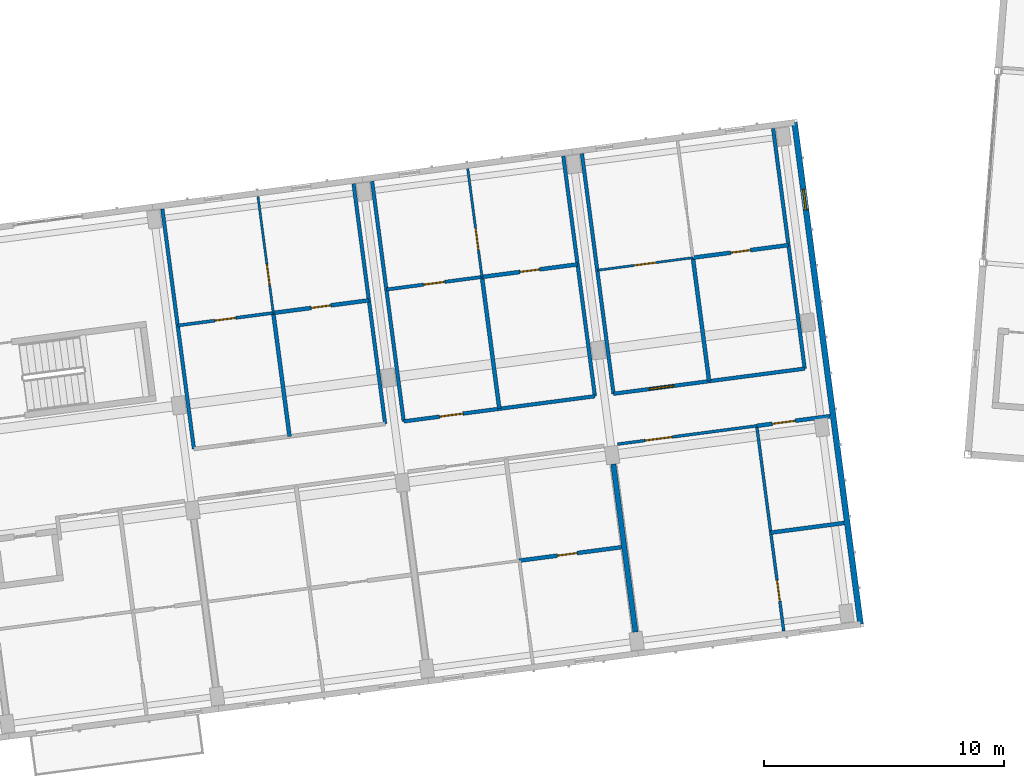
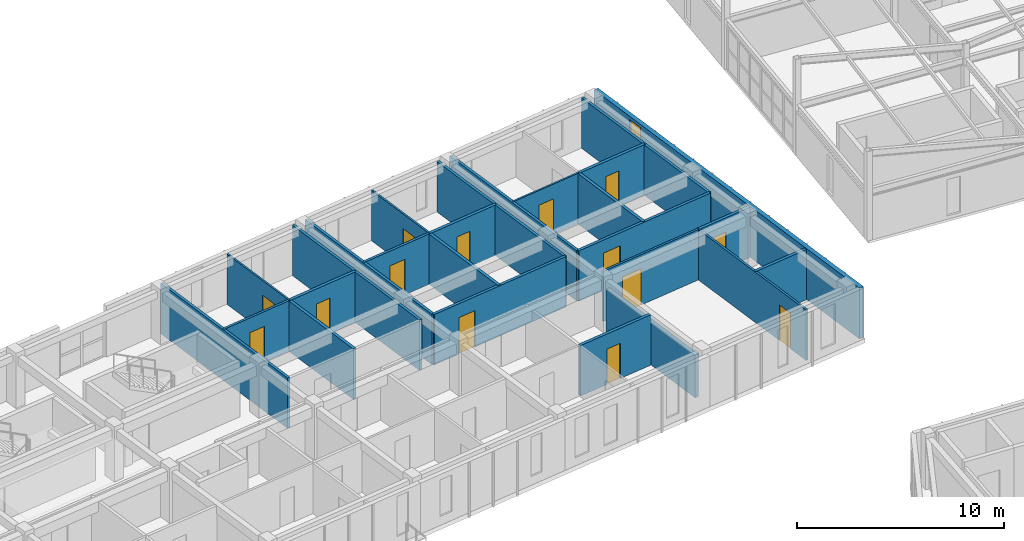
# One storey, part 82 of 127: 26 walls, 14 doors, 1 window, 15 openings.
"""IFC4 building model written with IfcOpenShell, lengths in metres."""

from ifc_helpers import new_model, si_unit, direction, frame, frame_2d, origin, place, context, subcontext, project, spatial, rectangle, extrude, material, layer, layer_set, type_object, element, fill, save


model = new_model("IFC4")

# Units and contexts
model_context = context("Model", 3, precision=1e-05, world=origin(), true_north=direction((0.0, 1.0)))
body_context = subcontext(model_context, "Body", "Model", "MODEL_VIEW")
ifc_project = project(units=[si_unit("LENGTHUNIT", "METRE"), si_unit("AREAUNIT", "SQUARE_METRE"), si_unit("VOLUMEUNIT", "CUBIC_METRE"), si_unit("PLANEANGLEUNIT", "RADIAN"), si_unit("MASSUNIT", "GRAM", prefix="KILO")], contexts=[model_context])

# Site, building, storey
site_placement = place(None, origin())
site = spatial("IfcSite", under=ifc_project, at=site_placement, CompositionType="ELEMENT")
building_placement = place(site_placement, origin())
building = spatial("IfcBuilding", under=site, at=building_placement, Name="Kestramere Prow Commons", CompositionType="ELEMENT")
storey_placement = place(building_placement, frame((0.0, 0.0, 8.39990234375)))
storey = spatial("IfcBuildingStorey", under=building, at=storey_placement, Name="L02", CompositionType="ELEMENT", Elevation=8.39990234375)

# Wall, opening, window
ifc_material_1 = material(Name="Fluoropolymer Standing-Seam Zinc-Aluminium Cladding", Category="aluminium")
ifc_layer_1 = layer(ifc_material_1, 0.239990234375)
ifc_layer_set_1 = layer_set([ifc_layer_1], Name="Fluoropolymer Standing-Seam Zinc-Aluminium Cladding")
wall_type_1 = type_object("IfcWallType", Name="EW-SEAM-240", PredefinedType="SOLIDWALL", material=ifc_layer_set_1)
wall_1_placement = place(storey_placement, frame((61.3896484375, 99.309814453125, 0.0), z_axis=(0.0, 0.0, 1.0), x_axis=(0.13052411616, -0.99144513469, 0.0)))
wall_1 = element("IfcWall", 1, at=wall_1_placement, inside=storey, type_object=wall_type_1, Name="Block A L02 EAV Facet Wall", PredefinedType="SOLIDWALL", context=body_context, shape_type="SweptSolid", body=[
    extrude(rectangle(XDim=21.05029296875, YDim=0.239990234375, at=frame_2d((10.525146484375, 0.0))), origin(), (0.0, 0.0, 1.0), 3.0),
])
opening_1_placement = place(wall_1_placement, frame((2.81005859375, 0.0, 0.449951171875)))
opening_1 = element("IfcOpeningElement", 2, at=opening_1_placement, cuts=wall_1, Name="Opening WN-15", PredefinedType="OPENING", context=body_context, shape_type="SweptSolid", body=[
    extrude(rectangle(XDim=0.860107421875, YDim=2.360107421875, at=frame_2d((0.43017578125, 1.18017578125))), frame((0.0, 0.135009765625, 0.0), z_axis=(0.0, -1.0, 0.0), x_axis=(1.0, 0.0, 0.0)), (0.0, 0.0, 1.0), 0.27001953125),
])
ifc_material_2 = material(Name="Low-E Laminated Double Glazing", Category="glass")
window_type = type_object("IfcWindowType", Name="WN-NAR-860A", PartitioningType="DOUBLE_PANEL_VERTICAL", PredefinedType="WINDOW", material=ifc_material_2)
window_placement = place(opening_1_placement, origin())
window = element("IfcWindow", 3, at=window_placement, inside=storey, type_object=window_type, Name="WN-A-L02-EAV-0", OverallHeight=2.360107421875, OverallWidth=0.860107421875, PartitioningType="SINGLE_PANEL", PredefinedType="WINDOW", context=body_context, shape_type="SweptSolid", body=[
    extrude(rectangle(XDim=0.860107421875, YDim=2.360107421875, at=frame_2d((0.43017578125, 1.18017578125))), frame((0.0, 0.030029296875, 0.0), z_axis=(0.0, -1.0, 0.0), x_axis=(1.0, 0.0, 0.0)), (0.0, 0.0, 1.0), 0.06005859375),
])
fill(opening_1, window)

# Wall, opening, door
ifc_material_3 = material(Name="Fire-Rated Calcium Silicate Wall")
ifc_layer_2 = layer(ifc_material_3, 0.155029296875)
ifc_layer_set_2 = layer_set([ifc_layer_2], Name="Fire-Rated Calcium Silicate Wall")
wall_type_2 = type_object("IfcWallType", Name="W-FIRE-150", PredefinedType="PARTITIONING", material=ifc_layer_set_2)
wall_2_placement = place(storey_placement, frame((45.138427734375, 86.877197265625, 0.0), z_axis=(0.0, 0.0, 1.0), x_axis=(0.991444034844, 0.130532470184, 0.0)))
wall_2 = element("IfcWall", 4, at=wall_2_placement, inside=storey, type_object=wall_type_2, Name="Interior Partition PW-A-L02-CN-4", PredefinedType="PARTITIONING", context=body_context, shape_type="SweptSolid", body=[
    extrude(rectangle(XDim=8.02001953125, YDim=0.155029296875, at=frame_2d((4.010009765625, 0.0))), origin(), (0.0, 0.0, 1.0), 2.97021484375),
])
opening_2_placement = place(wall_2_placement, frame((1.5048828125, 0.0, 0.0)))
opening_2 = element("IfcOpeningElement", 5, at=opening_2_placement, cuts=wall_2, Name="Opening ID-04", PredefinedType="OPENING", context=body_context, shape_type="SweptSolid", body=[
    extrude(rectangle(XDim=0.97998046875, YDim=2.14990234375, at=frame_2d((0.489990234375, 1.074951171875))), frame((0.0, 0.092529296875, 0.0), z_axis=(0.0, -1.0, 0.0), x_axis=(1.0, 0.0, 0.0)), (0.0, 0.0, 1.0), 0.18505859375),
])
ifc_material_4 = material(Name="Hardwood Fire-Rated Flat Entrance Door", Category="wood")
door_type_1 = type_object("IfcDoorType", Name="FD-ENT-01", OperationType="NOTDEFINED", PredefinedType="DOOR", material=ifc_material_4)
door_1_placement = place(opening_2_placement, origin())
door_1 = element("IfcDoor", 6, at=door_1_placement, inside=storey, type_object=door_type_1, Name="Interior Door DR-A-L02-ENT-N4", OperationType="SINGLE_SWING_LEFT", OverallHeight=2.14990234375, OverallWidth=0.97998046875, PredefinedType="DOOR", context=body_context, shape_type="SweptSolid", body=[
    extrude(rectangle(XDim=0.97998046875, YDim=2.14990234375, at=frame_2d((0.489990234375, 1.074951171875))), frame((0.0, 0.02490234375, 0.0), z_axis=(0.0, -1.0, 0.0), x_axis=(1.0, 0.0, 0.0)), (0.0, 0.0, 1.0), 0.050048828125),
])
fill(opening_2, door_1)

wall_3_placement = place(storey_placement, frame((53.86328125, 88.02587890625, 0.0), z_axis=(0.0, 0.0, 1.0), x_axis=(0.991447973994, 0.130502547346, 0.0)))
wall_3 = element("IfcWall", 7, at=wall_3_placement, inside=storey, type_object=wall_type_2, Name="Interior Partition PW-A-L02-CN-5", PredefinedType="PARTITIONING", context=body_context, shape_type="SweptSolid", body=[
    extrude(rectangle(XDim=8.02001953125, YDim=0.155029296875, at=frame_2d((4.010009765625, 0.0))), origin(), (0.0, 0.0, 1.0), 2.97021484375),
])
opening_3_placement = place(wall_3_placement, frame((1.5048828125, 0.0, 0.0)))
opening_3 = element("IfcOpeningElement", 8, at=opening_3_placement, cuts=wall_3, Name="Opening ID-05", PredefinedType="OPENING", context=body_context, shape_type="SweptSolid", body=[
    extrude(rectangle(XDim=1.02001953125, YDim=2.199951171875, at=frame_2d((0.510009765625, 1.10009765625))), frame((0.0, 0.092529296875, 0.0), z_axis=(0.0, -1.0, 0.0), x_axis=(1.0, 0.0, 0.0)), (0.0, 0.0, 1.0), 0.18505859375),
])
door_type_2 = type_object("IfcDoorType", Name="FD-ENT-02", OperationType="NOTDEFINED", PredefinedType="DOOR", material=ifc_material_4)
door_2_placement = place(opening_3_placement, origin())
door_2 = element("IfcDoor", 9, at=door_2_placement, inside=storey, type_object=door_type_2, Name="Interior Door DR-A-L02-ENT-N5", OperationType="SINGLE_SWING_RIGHT", OverallHeight=2.199951171875, OverallWidth=1.02001953125, PredefinedType="DOOR", context=body_context, shape_type="SweptSolid", body=[
    extrude(rectangle(XDim=1.02001953125, YDim=2.199951171875, at=frame_2d((0.510009765625, 1.10009765625))), frame((0.0, 0.02490234375, 0.0), z_axis=(0.0, -1.0, 0.0), x_axis=(1.0, 0.0, 0.0)), (0.0, 0.0, 1.0), 0.050048828125),
])
fill(opening_3, door_2)

ifc_material_5 = material(Name="Gypsum Acoustic Drywall")
ifc_layer_3 = layer(ifc_material_5, 0.10009765625)
ifc_layer_set_3 = layer_set([ifc_layer_3], Name="Gypsum Acoustic Drywall")
wall_type_3 = type_object("IfcWallType", Name="W-PART-100", PredefinedType="PARTITIONING", material=ifc_layer_set_3)
wall_4_placement = place(storey_placement, frame((48.392333984375, 92.88330078125, 0.0), z_axis=(0.0, 0.0, 1.0), x_axis=(-0.130518503748, 0.99144587355, 0.0)))
wall_4 = element("IfcWall", 10, at=wall_4_placement, inside=storey, type_object=wall_type_3, Name="Interior Partition PW-A-L02-LB-N4", PredefinedType="PARTITIONING", context=body_context, shape_type="SweptSolid", body=[
    extrude(rectangle(XDim=4.539794921875, YDim=0.10009765625, at=frame_2d((2.27001953125, 0.0))), origin(), (0.0, 0.0, 1.0), 2.97021484375),
])
opening_4_placement = place(wall_4_placement, frame((1.14990234375, 0.0, 0.0)))
opening_4 = element("IfcOpeningElement", 11, at=opening_4_placement, cuts=wall_4, Name="Opening ID-10", PredefinedType="OPENING", context=body_context, shape_type="SweptSolid", body=[
    extrude(rectangle(XDim=0.8798828125, YDim=2.10009765625, at=frame_2d((0.43994140625, 1.050048828125))), frame((0.0, 0.06494140625, 0.0), z_axis=(0.0, -1.0, 0.0), x_axis=(1.0, 0.0, 0.0)), (0.0, 0.0, 1.0), 0.130126953125),
])
ifc_material_6 = material(Name="Engineered Timber Bedroom Door", Category="wood")
door_type_3 = type_object("IfcDoorType", Name="D-RM-03", OperationType="NOTDEFINED", PredefinedType="DOOR", material=ifc_material_6)
door_3_placement = place(opening_4_placement, origin())
door_3 = element("IfcDoor", 12, at=door_3_placement, inside=storey, type_object=door_type_3, Name="Interior Door DR-A-L02-BED-N4", OperationType="SINGLE_SWING_LEFT", OverallHeight=2.10009765625, OverallWidth=0.8798828125, PredefinedType="DOOR", context=body_context, shape_type="SweptSolid", body=[
    extrude(rectangle(XDim=0.8798828125, YDim=2.10009765625, at=frame_2d((0.43994140625, 1.050048828125))), frame((0.0, 0.02490234375, 0.0), z_axis=(0.0, -1.0, 0.0), x_axis=(1.0, 0.0, 0.0)), (0.0, 0.0, 1.0), 0.050048828125),
])
fill(opening_4, door_3)

ifc_material_7 = material(Name="Lightweight Blockwork and Plaster", Category="masonry")
ifc_layer_4 = layer(ifc_material_7, 0.1201171875)
ifc_layer_set_4 = layer_set([ifc_layer_4], Name="Lightweight Blockwork and Plaster")
wall_type_4 = type_object("IfcWallType", Name="W-PART-120", PredefinedType="PARTITIONING", material=ifc_layer_set_4)
wall_5_placement = place(storey_placement, frame((54.033203125, 85.929931640625, 0.0), z_axis=(0.0, 0.0, 1.0), x_axis=(0.991442898952, 0.130541097431, 0.0)))
wall_5 = element("IfcWall", 13, at=wall_5_placement, inside=storey, type_object=wall_type_4, Name="Interior Partition PW-A-L02-CS-5A", PredefinedType="PARTITIONING", context=body_context, shape_type="SweptSolid", body=[
    extrude(rectangle(XDim=5.835205078125, YDim=0.1201171875, at=frame_2d((2.91748046875, 0.0))), origin(), (0.0, 0.0, 1.0), 2.97021484375),
])
opening_5_placement = place(wall_5_placement, frame((1.14990234375, 0.0, 0.0)))
opening_5 = element("IfcOpeningElement", 14, at=opening_5_placement, cuts=wall_5, Name="Opening ID-09", PredefinedType="OPENING", context=body_context, shape_type="SweptSolid", body=[
    extrude(rectangle(XDim=1.14990234375, YDim=2.14990234375, at=frame_2d((0.574951171875, 1.074951171875))), frame((0.0, 0.074951171875, 0.0), z_axis=(0.0, -1.0, 0.0), x_axis=(1.0, 0.0, 0.0)), (0.0, 0.0, 1.0), 0.150146484375),
])
ifc_material_8 = material(Name="Engineered Timber Acoustic Door", Category="wood")
door_type_4 = type_object("IfcDoorType", Name="D-RM-02", OperationType="NOTDEFINED", PredefinedType="DOOR", material=ifc_material_8)
door_4_placement = place(opening_5_placement, origin())
door_4 = element("IfcDoor", 15, at=door_4_placement, inside=storey, type_object=door_type_4, Name="Interior Door DR-A-L02-SKY-5", OperationType="SINGLE_SWING_LEFT", OverallHeight=2.14990234375, OverallWidth=1.14990234375, PredefinedType="DOOR", context=body_context, shape_type="SweptSolid", body=[
    extrude(rectangle(XDim=1.14990234375, YDim=2.14990234375, at=frame_2d((0.574951171875, 1.074951171875))), frame((0.0, 0.02490234375, 0.0), z_axis=(0.0, -1.0, 0.0), x_axis=(1.0, 0.0, 0.0)), (0.0, 0.0, 1.0), 0.050048828125),
])
fill(opening_5, door_4)

wall_6_placement = place(storey_placement, frame((60.942138671875, 78.1552734375, 0.0), z_axis=(0.0, 0.0, 1.0), x_axis=(-0.13051979335, 0.99144570378, 0.0)))
wall_6 = element("IfcWall", 16, at=wall_6_placement, inside=storey, type_object=wall_type_4, Name="Interior Partition PW-A-L02-SKDV-5", PredefinedType="PARTITIONING", context=body_context, shape_type="SweptSolid", body=[
    extrude(rectangle(XDim=8.610107421875, YDim=0.1201171875, at=frame_2d((4.30517578125, 0.0))), origin(), (0.0, 0.0, 1.0), 2.97021484375),
])
opening_6_placement = place(wall_6_placement, frame((1.25, 0.0, 0.0)))
opening_6 = element("IfcOpeningElement", 17, at=opening_6_placement, cuts=wall_6, Name="Opening ID-10", PredefinedType="OPENING", context=body_context, shape_type="SweptSolid", body=[
    extrude(rectangle(XDim=0.8798828125, YDim=2.10009765625, at=frame_2d((0.43994140625, 1.050048828125))), frame((0.0, 0.074951171875, 0.0), z_axis=(0.0, -1.0, 0.0), x_axis=(1.0, 0.0, 0.0)), (0.0, 0.0, 1.0), 0.150146484375),
])
door_5_placement = place(opening_6_placement, origin())
door_5 = element("IfcDoor", 18, at=door_5_placement, inside=storey, type_object=door_type_3, Name="Interior Door DR-A-L02-SKAL-5", OperationType="SINGLE_SWING_LEFT", OverallHeight=2.10009765625, OverallWidth=0.8798828125, PredefinedType="DOOR", context=body_context, shape_type="SweptSolid", body=[
    extrude(rectangle(XDim=0.8798828125, YDim=2.10009765625, at=frame_2d((0.43994140625, 1.050048828125))), frame((0.0, 0.02490234375, 0.0), z_axis=(0.0, -1.0, 0.0), x_axis=(1.0, 0.0, 0.0)), (0.0, 0.0, 1.0), 0.050048828125),
])
fill(opening_6, door_5)

ifc_layer_5 = layer(ifc_material_7, 0.1298828125)
ifc_layer_set_5 = layer_set([ifc_layer_5], Name="Lightweight Blockwork and Plaster")
wall_type_5 = type_object("IfcWallType", Name="W-PART-130", PredefinedType="PARTITIONING", material=ifc_layer_set_5)
wall_7_placement = place(storey_placement, frame((35.737548828125, 90.8642578125, 0.0), z_axis=(0.0, 0.0, 1.0), x_axis=(0.991444553502, 0.130528530716, 0.0)))
wall_7 = element("IfcWall", 19, at=wall_7_placement, inside=storey, type_object=wall_type_5, Name="Interior Partition PW-A-L02-MIDN1-3", PredefinedType="PARTITIONING", context=body_context, shape_type="SweptSolid", body=[
    extrude(rectangle(XDim=4.01025390625, YDim=0.1298828125, at=frame_2d((2.005126953125, 0.0))), origin(), (0.0, 0.0, 1.0), 2.97021484375),
])
opening_7_placement = place(wall_7_placement, frame((1.554931640625, 0.0, 0.0)))
opening_7 = element("IfcOpeningElement", 20, at=opening_7_placement, cuts=wall_7, Name="Opening ID-10", PredefinedType="OPENING", context=body_context, shape_type="SweptSolid", body=[
    extrude(rectangle(XDim=0.8798828125, YDim=2.10009765625, at=frame_2d((0.43994140625, 1.050048828125))), frame((0.0, 0.079833984375, 0.0), z_axis=(0.0, -1.0, 0.0), x_axis=(1.0, 0.0, 0.0)), (0.0, 0.0, 1.0), 0.159912109375),
])
door_6_placement = place(opening_7_placement, origin())
door_6 = element("IfcDoor", 21, at=door_6_placement, inside=storey, type_object=door_type_3, Name="Interior Door DR-A-L02-KL-N3", OperationType="SINGLE_SWING_LEFT", OverallHeight=2.10009765625, OverallWidth=0.8798828125, PredefinedType="DOOR", context=body_context, shape_type="SweptSolid", body=[
    extrude(rectangle(XDim=0.8798828125, YDim=2.10009765625, at=frame_2d((0.43994140625, 1.050048828125))), frame((0.0, 0.02490234375, 0.0), z_axis=(0.0, -1.0, 0.0), x_axis=(1.0, 0.0, 0.0)), (0.0, 0.0, 1.0), 0.050048828125),
])
fill(opening_7, door_6)

ifc_material_9 = material(Name="Masonry Compartment Wall", Category="masonry")
ifc_layer_6 = layer(ifc_material_9, 0.139892578125)
ifc_layer_set_6 = layer_set([ifc_layer_6], Name="Masonry Compartment Wall")
wall_type_6 = type_object("IfcWallType", Name="W-PART-140", PredefinedType="PARTITIONING", material=ifc_layer_set_6)
wall_8_placement = place(storey_placement, frame((44.416748046875, 92.35986328125, 0.0), z_axis=(0.0, 0.0, 1.0), x_axis=(0.991443516139, 0.130536409887, 0.0)))
wall_8 = element("IfcWall", 22, at=wall_8_placement, inside=storey, type_object=wall_type_6, Name="Interior Partition PW-A-L02-MIDN1-4", PredefinedType="PARTITIONING", context=body_context, shape_type="SweptSolid", body=[
    extrude(rectangle(XDim=4.010009765625, YDim=0.139892578125, at=frame_2d((2.0048828125, 0.0))), origin(), (0.0, 0.0, 1.0), 2.97021484375),
])
opening_8_placement = place(wall_8_placement, frame((1.554931640625, 0.0, 0.0)))
opening_8 = element("IfcOpeningElement", 23, at=opening_8_placement, cuts=wall_8, Name="Opening ID-08", PredefinedType="OPENING", context=body_context, shape_type="SweptSolid", body=[
    extrude(rectangle(XDim=0.89990234375, YDim=2.10009765625, at=frame_2d((0.449951171875, 1.050048828125))), frame((0.0, 0.0849609375, 0.0), z_axis=(0.0, -1.0, 0.0), x_axis=(1.0, 0.0, 0.0)), (0.0, 0.0, 1.0), 0.169921875),
])
ifc_material_10 = material(Name="Engineered Timber Flush Door", Category="wood")
door_type_5 = type_object("IfcDoorType", Name="D-RM-01", OperationType="NOTDEFINED", PredefinedType="DOOR", material=ifc_material_10)
door_7_placement = place(opening_8_placement, origin())
door_7 = element("IfcDoor", 24, at=door_7_placement, inside=storey, type_object=door_type_5, Name="Interior Door DR-A-L02-KL-N4", OperationType="SINGLE_SWING_LEFT", OverallHeight=2.10009765625, OverallWidth=0.89990234375, PredefinedType="DOOR", context=body_context, shape_type="SweptSolid", body=[
    extrude(rectangle(XDim=0.89990234375, YDim=2.10009765625, at=frame_2d((0.449951171875, 1.050048828125))), frame((0.0, 0.02490234375, 0.0), z_axis=(0.0, -1.0, 0.0), x_axis=(1.0, 0.0, 0.0)), (0.0, 0.0, 1.0), 0.050048828125),
])
fill(opening_8, door_7)

# Walls
ifc_layer_7 = layer(ifc_material_9, 0.14990234375)
ifc_layer_set_7 = layer_set([ifc_layer_7], Name="Masonry Compartment Wall")
wall_type_7 = type_object("IfcWallType", Name="W-PART-150", PredefinedType="PARTITIONING", material=ifc_layer_set_7)
for number, where, z_axis, x_axis, name in (
    (25, (36.413818359375, 85.728515625, 0.0), (0.0, 0.0, 1.0), (-0.130531024319, 0.991444225204, 0.0), "Interior Partition PW-A-L02-NWL-3"),
    (26, (44.365234375, 86.775390625, 0.0), (0.0, 0.0, 1.0), (-0.130531024319, 0.991444225204, 0.0), "Interior Partition PW-A-L02-NWR-3"),
    (27, (45.138427734375, 86.877197265625, 0.0), (0.0, 0.0, 1.0), (-0.130531024319, 0.991444225204, 0.0), "Interior Partition PW-A-L02-NWL-4"),
):
    element("IfcWall", number, at=place(storey_placement, frame(where, z_axis=z_axis, x_axis=x_axis)), inside=storey, type_object=wall_type_7, Name=name, PredefinedType="PARTITIONING", context=body_context, shape_type="SweptSolid", body=[
        extrude(rectangle(XDim=10.070068359375, YDim=0.14990234375, at=frame_2d((5.03515625, 0.0))), origin(), (0.0, 0.0, 1.0), 2.97021484375),
    ])
for number, where, z_axis, x_axis, name in (
    (28, (53.08984375, 87.924072265625, 0.0), (0.0, 0.0, 1.0), (-0.130534161944, 0.991443812107, 0.0), "Interior Partition PW-A-L02-NWR-4"),
    (29, (53.86328125, 88.02587890625, 0.0), (0.0, 0.0, 1.0), (-0.130534161944, 0.991443812107, 0.0), "Interior Partition PW-A-L02-NWL-5"),
):
    element("IfcWall", number, at=place(storey_placement, frame(where, z_axis=z_axis, x_axis=x_axis)), inside=storey, type_object=wall_type_7, Name=name, PredefinedType="PARTITIONING", context=body_context, shape_type="SweptSolid", body=[
        extrude(rectangle(XDim=10.06982421875, YDim=0.14990234375, at=frame_2d((5.034912109375, 0.0))), origin(), (0.0, 0.0, 1.0), 2.97021484375),
    ])
wall_9_placement = place(storey_placement, frame((61.814697265625, 89.072509765625, 0.0), z_axis=(0.0, 0.0, 1.0), x_axis=(-0.130531024319, 0.991444225204, 0.0)))
element("IfcWall", 30, at=wall_9_placement, inside=storey, type_object=wall_type_7, Name="Interior Partition PW-A-L02-NWR-5", PredefinedType="PARTITIONING", context=body_context, shape_type="SweptSolid", body=[
    extrude(rectangle(XDim=10.070068359375, YDim=0.14990234375, at=frame_2d((5.03515625, 0.0))), origin(), (0.0, 0.0, 1.0), 2.97021484375),
])

# Wall, opening, door
ifc_layer_8 = layer(ifc_material_5, 0.094970703125)
ifc_layer_set_8 = layer_set([ifc_layer_8], Name="Gypsum Acoustic Drywall")
wall_type_8 = type_object("IfcWallType", Name="W-PART-95", PredefinedType="PARTITIONING", material=ifc_layer_set_8)
wall_10_placement = place(storey_placement, frame((39.71337890625, 91.3876953125, 0.0), z_axis=(0.0, 0.0, 1.0), x_axis=(-0.130557831536, 0.991440695465, 0.0)))
wall_10 = element("IfcWall", 31, at=wall_10_placement, inside=storey, type_object=wall_type_8, Name="Interior Partition PW-A-L02-LB-N3", PredefinedType="PARTITIONING", context=body_context, shape_type="SweptSolid", body=[
    extrude(rectangle(XDim=4.889892578125, YDim=0.094970703125, at=frame_2d((2.44482421875, 0.0))), origin(), (0.0, 0.0, 1.0), 2.97021484375),
])
opening_9_placement = place(wall_10_placement, frame((1.14990234375, 0.0, 0.0)))
opening_9 = element("IfcOpeningElement", 32, at=opening_9_placement, cuts=wall_10, Name="Opening ID-08", PredefinedType="OPENING", context=body_context, shape_type="SweptSolid", body=[
    extrude(rectangle(XDim=0.89990234375, YDim=2.10009765625, at=frame_2d((0.449951171875, 1.050048828125))), frame((0.0, 0.0625, 0.0), z_axis=(0.0, -1.0, 0.0), x_axis=(1.0, 0.0, 0.0)), (0.0, 0.0, 1.0), 0.125),
])
door_8_placement = place(opening_9_placement, origin())
door_8 = element("IfcDoor", 33, at=door_8_placement, inside=storey, type_object=door_type_5, Name="Interior Door DR-A-L02-BED-N3", OperationType="SINGLE_SWING_LEFT", OverallHeight=2.10009765625, OverallWidth=0.89990234375, PredefinedType="DOOR", context=body_context, shape_type="SweptSolid", body=[
    extrude(rectangle(XDim=0.89990234375, YDim=2.10009765625, at=frame_2d((0.449951171875, 1.050048828125))), frame((0.0, 0.02490234375, 0.0), z_axis=(0.0, -1.0, 0.0), x_axis=(1.0, 0.0, 0.0)), (0.0, 0.0, 1.0), 0.050048828125),
])
fill(opening_9, door_8)

wall_11_placement = place(storey_placement, frame((53.18701171875, 93.161376953125, 0.0), z_axis=(0.0, 0.0, 1.0), x_axis=(0.991444553502, 0.130528530716, 0.0)))
wall_11 = element("IfcWall", 34, at=wall_11_placement, inside=storey, type_object=wall_type_8, Name="Interior Partition PW-A-L02-MIDN1-5", PredefinedType="PARTITIONING", context=body_context, shape_type="SweptSolid", body=[
    extrude(rectangle(XDim=4.01025390625, YDim=0.094970703125, at=frame_2d((2.005126953125, 0.0))), origin(), (0.0, 0.0, 1.0), 2.97021484375),
])
opening_10_placement = place(wall_11_placement, frame((1.554931640625, 0.0, 0.0)))
opening_10 = element("IfcOpeningElement", 35, at=opening_10_placement, cuts=wall_11, Name="Opening ID-08", PredefinedType="OPENING", context=body_context, shape_type="SweptSolid", body=[
    extrude(rectangle(XDim=0.89990234375, YDim=2.10009765625, at=frame_2d((0.449951171875, 1.050048828125))), frame((0.0, 0.0625, 0.0), z_axis=(0.0, -1.0, 0.0), x_axis=(1.0, 0.0, 0.0)), (0.0, 0.0, 1.0), 0.125),
])
door_9_placement = place(opening_10_placement, origin())
door_9 = element("IfcDoor", 36, at=door_9_placement, inside=storey, type_object=door_type_5, Name="Interior Door DR-A-L02-KL-N5", OperationType="SINGLE_SWING_LEFT", OverallHeight=2.10009765625, OverallWidth=0.89990234375, PredefinedType="DOOR", context=body_context, shape_type="SweptSolid", body=[
    extrude(rectangle(XDim=0.89990234375, YDim=2.10009765625, at=frame_2d((0.449951171875, 1.050048828125))), frame((0.0, 0.02490234375, 0.0), z_axis=(0.0, -1.0, 0.0), x_axis=(1.0, 0.0, 0.0)), (0.0, 0.0, 1.0), 0.050048828125),
])
fill(opening_10, door_9)

ifc_material_11 = material(Name="Waterproof Sanitary Masonry Wall", Category="masonry")
ifc_layer_9 = layer(ifc_material_11, 0.1650390625)
ifc_layer_set_9 = layer_set([ifc_layer_9], Name="Waterproof Sanitary Masonry Wall")
wall_type_9 = type_object("IfcWallType", Name="W-PLUMB-150", PredefinedType="PLUMBINGWALL", material=ifc_layer_set_9)
wall_12_placement = place(storey_placement, frame((49.945556640625, 81.0849609375, 0.0), z_axis=(0.0, 0.0, 1.0), x_axis=(0.991444984965, 0.130525253451, 0.0)))
wall_12 = element("IfcWall", 37, at=wall_12_placement, inside=storey, type_object=wall_type_9, Name="Interior Partition PW-A-L02-MIDS2-4", PredefinedType="PLUMBINGWALL", context=body_context, shape_type="SweptSolid", body=[
    extrude(rectangle(XDim=4.28515625, YDim=0.1650390625, at=frame_2d((2.142578125, 0.0))), origin(), (0.0, 0.0, 1.0), 2.97021484375),
])
opening_11_placement = place(wall_12_placement, frame((1.60009765625, 0.0, 0.0)))
opening_11 = element("IfcOpeningElement", 38, at=opening_11_placement, cuts=wall_12, Name="Opening ID-11", PredefinedType="OPENING", context=body_context, shape_type="SweptSolid", body=[
    extrude(rectangle(XDim=0.820068359375, YDim=2.080078125, at=frame_2d((0.41015625, 1.0400390625))), frame((0.0, 0.097412109375, 0.0), z_axis=(0.0, -1.0, 0.0), x_axis=(1.0, 0.0, 0.0)), (0.0, 0.0, 1.0), 0.195068359375),
])
ifc_material_12 = material(Name="Moisture-Resistant Timber Bathroom Door", Category="wood")
door_type_6 = type_object("IfcDoorType", Name="D-BT-01", OperationType="NOTDEFINED", PredefinedType="DOOR", material=ifc_material_12)
door_10_placement = place(opening_11_placement, origin())
door_10 = element("IfcDoor", 39, at=door_10_placement, inside=storey, type_object=door_type_6, Name="Interior Door DR-A-L02-BTH-S4", OperationType="SINGLE_SWING_LEFT", OverallHeight=2.080078125, OverallWidth=0.820068359375, PredefinedType="DOOR", context=body_context, shape_type="SweptSolid", body=[
    extrude(rectangle(XDim=0.820068359375, YDim=2.080078125, at=frame_2d((0.41015625, 1.0400390625))), frame((0.0, 0.02490234375, 0.0), z_axis=(0.0, -1.0, 0.0), x_axis=(1.0, 0.0, 0.0)), (0.0, 0.0, 1.0), 0.050048828125),
])
fill(opening_11, door_10)

wall_13_placement = place(storey_placement, frame((59.818359375, 86.691650390625, 0.0), z_axis=(0.0, 0.0, 1.0), x_axis=(0.991444293548, 0.130530505213, 0.0)))
wall_13 = element("IfcWall", 40, at=wall_13_placement, inside=storey, type_object=wall_type_9, Name="Interior Partition PW-A-L02-CS-5B", PredefinedType="PLUMBINGWALL", context=body_context, shape_type="SweptSolid", body=[
    extrude(rectangle(XDim=3.074951171875, YDim=0.1650390625, at=frame_2d((1.53759765625, 0.0))), origin(), (0.0, 0.0, 1.0), 2.97021484375),
])
opening_12_placement = place(wall_13_placement, frame((0.64990234375, 0.0, 0.0)))
opening_12 = element("IfcOpeningElement", 41, at=opening_12_placement, cuts=wall_13, Name="Opening ID-13", PredefinedType="OPENING", context=body_context, shape_type="SweptSolid", body=[
    extrude(rectangle(XDim=0.9599609375, YDim=2.1201171875, at=frame_2d((0.47998046875, 1.06005859375))), frame((0.0, 0.097412109375, 0.0), z_axis=(0.0, -1.0, 0.0), x_axis=(1.0, 0.0, 0.0)), (0.0, 0.0, 1.0), 0.195068359375),
])
ifc_material_13 = material(Name="Accessible Wide-Leaf Timber Door", Category="wood")
door_type_7 = type_object("IfcDoorType", Name="D-ACC-01", OperationType="NOTDEFINED", PredefinedType="DOOR", material=ifc_material_13)
door_11_placement = place(opening_12_placement, origin())
door_11 = element("IfcDoor", 42, at=door_11_placement, inside=storey, type_object=door_type_7, Name="Interior Door DR-A-L02-SKWC-5", OperationType="SINGLE_SWING_RIGHT", OverallHeight=2.1201171875, OverallWidth=0.9599609375, PredefinedType="DOOR", context=body_context, shape_type="SweptSolid", body=[
    extrude(rectangle(XDim=0.9599609375, YDim=2.1201171875, at=frame_2d((0.47998046875, 1.06005859375))), frame((0.0, 0.02490234375, 0.0), z_axis=(0.0, -1.0, 0.0), x_axis=(1.0, 0.0, 0.0)), (0.0, 0.0, 1.0), 0.050048828125),
])
fill(opening_12, door_11)

# Wall
wall_14_placement = place(storey_placement, frame((60.403076171875, 82.25, 0.0), z_axis=(0.0, 0.0, 1.0), x_axis=(0.991444293548, 0.130530505213, 0.0)))
element("IfcWall", 43, at=wall_14_placement, inside=storey, type_object=wall_type_9, Name="Interior Partition PW-A-L02-SKHZ-5", PredefinedType="PLUMBINGWALL", context=body_context, shape_type="SweptSolid", body=[
    extrude(rectangle(XDim=3.074951171875, YDim=0.1650390625, at=frame_2d((1.53759765625, 0.0))), origin(), (0.0, 0.0, 1.0), 2.97021484375),
])

# Wall, opening, door
wall_15_placement = place(storey_placement, frame((39.71337890625, 91.3876953125, 0.0), z_axis=(0.0, 0.0, 1.0), x_axis=(0.991443516139, 0.130536409887, 0.0)))
wall_15 = element("IfcWall", 44, at=wall_15_placement, inside=storey, type_object=wall_type_9, Name="Interior Partition PW-A-L02-MIDN2-3", PredefinedType="PLUMBINGWALL", context=body_context, shape_type="SweptSolid", body=[
    extrude(rectangle(XDim=4.010009765625, YDim=0.1650390625, at=frame_2d((2.0048828125, 0.0))), origin(), (0.0, 0.0, 1.0), 2.97021484375),
])
opening_13_placement = place(wall_15_placement, frame((1.594970703125, 0.0, 0.0)))
opening_13 = element("IfcOpeningElement", 45, at=opening_13_placement, cuts=wall_15, Name="Opening ID-11", PredefinedType="OPENING", context=body_context, shape_type="SweptSolid", body=[
    extrude(rectangle(XDim=0.820068359375, YDim=2.080078125, at=frame_2d((0.41015625, 1.0400390625))), frame((0.0, 0.097412109375, 0.0), z_axis=(0.0, -1.0, 0.0), x_axis=(1.0, 0.0, 0.0)), (0.0, 0.0, 1.0), 0.195068359375),
])
door_12_placement = place(opening_13_placement, origin())
door_12 = element("IfcDoor", 46, at=door_12_placement, inside=storey, type_object=door_type_6, Name="Interior Door DR-A-L02-BTH-N3", OperationType="SINGLE_SWING_RIGHT", OverallHeight=2.080078125, OverallWidth=0.820068359375, PredefinedType="DOOR", context=body_context, shape_type="SweptSolid", body=[
    extrude(rectangle(XDim=0.820068359375, YDim=2.080078125, at=frame_2d((0.41015625, 1.0400390625))), frame((0.0, 0.02490234375, 0.0), z_axis=(0.0, -1.0, 0.0), x_axis=(1.0, 0.0, 0.0)), (0.0, 0.0, 1.0), 0.050048828125),
])
fill(opening_13, door_12)

# Wall
wall_16_placement = place(storey_placement, frame((40.389404296875, 86.251953125, 0.0), z_axis=(0.0, 0.0, 1.0), x_axis=(-0.130505718023, 0.991447556638, 0.0)))
element("IfcWall", 47, at=wall_16_placement, inside=storey, type_object=wall_type_9, Name="Interior Partition PW-A-L02-KB-N3", PredefinedType="PLUMBINGWALL", context=body_context, shape_type="SweptSolid", body=[
    extrude(rectangle(XDim=5.179931640625, YDim=0.1650390625, at=frame_2d((2.58984375, 0.0))), origin(), (0.0, 0.0, 1.0), 2.97021484375),
])

# Wall, opening, door
wall_17_placement = place(storey_placement, frame((48.392333984375, 92.88330078125, 0.0), z_axis=(0.0, 0.0, 1.0), x_axis=(0.991444553502, 0.130528530716, 0.0)))
wall_17 = element("IfcWall", 48, at=wall_17_placement, inside=storey, type_object=wall_type_9, Name="Interior Partition PW-A-L02-MIDN2-4", PredefinedType="PLUMBINGWALL", context=body_context, shape_type="SweptSolid", body=[
    extrude(rectangle(XDim=4.01025390625, YDim=0.1650390625, at=frame_2d((2.005126953125, 0.0))), origin(), (0.0, 0.0, 1.0), 2.97021484375),
])
opening_14_placement = place(wall_17_placement, frame((1.594970703125, 0.0, 0.0)))
opening_14 = element("IfcOpeningElement", 49, at=opening_14_placement, cuts=wall_17, Name="Opening ID-11", PredefinedType="OPENING", context=body_context, shape_type="SweptSolid", body=[
    extrude(rectangle(XDim=0.820068359375, YDim=2.080078125, at=frame_2d((0.41015625, 1.0400390625))), frame((0.0, 0.097412109375, 0.0), z_axis=(0.0, -1.0, 0.0), x_axis=(1.0, 0.0, 0.0)), (0.0, 0.0, 1.0), 0.195068359375),
])
door_13_placement = place(opening_14_placement, origin())
door_13 = element("IfcDoor", 50, at=door_13_placement, inside=storey, type_object=door_type_6, Name="Interior Door DR-A-L02-BTH-N4", OperationType="SINGLE_SWING_RIGHT", OverallHeight=2.080078125, OverallWidth=0.820068359375, PredefinedType="DOOR", context=body_context, shape_type="SweptSolid", body=[
    extrude(rectangle(XDim=0.820068359375, YDim=2.080078125, at=frame_2d((0.41015625, 1.0400390625))), frame((0.0, 0.02490234375, 0.0), z_axis=(0.0, -1.0, 0.0), x_axis=(1.0, 0.0, 0.0)), (0.0, 0.0, 1.0), 0.050048828125),
])
fill(opening_14, door_13)

# Wall
wall_18_placement = place(storey_placement, frame((49.1142578125, 87.400634765625, 0.0), z_axis=(0.0, 0.0, 1.0), x_axis=(-0.130547016415, 0.991442119594, 0.0)))
element("IfcWall", 51, at=wall_18_placement, inside=storey, type_object=wall_type_9, Name="Interior Partition PW-A-L02-KB-N4", PredefinedType="PLUMBINGWALL", context=body_context, shape_type="SweptSolid", body=[
    extrude(rectangle(XDim=5.530029296875, YDim=0.1650390625, at=frame_2d((2.76513671875, 0.0))), origin(), (0.0, 0.0, 1.0), 2.97021484375),
])

# Wall, opening, door
wall_19_placement = place(storey_placement, frame((57.162841796875, 93.684814453125, 0.0), z_axis=(0.0, 0.0, 1.0), x_axis=(0.991443516139, 0.130536409887, 0.0)))
wall_19 = element("IfcWall", 52, at=wall_19_placement, inside=storey, type_object=wall_type_9, Name="Interior Partition PW-A-L02-MIDN2-5", PredefinedType="PLUMBINGWALL", context=body_context, shape_type="SweptSolid", body=[
    extrude(rectangle(XDim=4.010009765625, YDim=0.1650390625, at=frame_2d((2.0048828125, 0.0))), origin(), (0.0, 0.0, 1.0), 2.97021484375),
])
opening_15_placement = place(wall_19_placement, frame((1.594970703125, 0.0, 0.0)))
opening_15 = element("IfcOpeningElement", 53, at=opening_15_placement, cuts=wall_19, Name="Opening ID-11", PredefinedType="OPENING", context=body_context, shape_type="SweptSolid", body=[
    extrude(rectangle(XDim=0.820068359375, YDim=2.080078125, at=frame_2d((0.41015625, 1.0400390625))), frame((0.0, 0.097412109375, 0.0), z_axis=(0.0, -1.0, 0.0), x_axis=(1.0, 0.0, 0.0)), (0.0, 0.0, 1.0), 0.195068359375),
])
door_14_placement = place(opening_15_placement, origin())
door_14 = element("IfcDoor", 54, at=door_14_placement, inside=storey, type_object=door_type_6, Name="Interior Door DR-A-L02-BTH-N5", OperationType="SINGLE_SWING_RIGHT", OverallHeight=2.080078125, OverallWidth=0.820068359375, PredefinedType="DOOR", context=body_context, shape_type="SweptSolid", body=[
    extrude(rectangle(XDim=0.820068359375, YDim=2.080078125, at=frame_2d((0.41015625, 1.0400390625))), frame((0.0, 0.02490234375, 0.0), z_axis=(0.0, -1.0, 0.0), x_axis=(1.0, 0.0, 0.0)), (0.0, 0.0, 1.0), 0.050048828125),
])
fill(opening_15, door_14)

# Walls
wall_20_placement = place(storey_placement, frame((57.8388671875, 88.549072265625, 0.0), z_axis=(0.0, 0.0, 1.0), x_axis=(-0.130505718023, 0.991447556638, 0.0)))
element("IfcWall", 55, at=wall_20_placement, inside=storey, type_object=wall_type_9, Name="Interior Partition PW-A-L02-KB-N5", PredefinedType="PLUMBINGWALL", context=body_context, shape_type="SweptSolid", body=[
    extrude(rectangle(XDim=5.179931640625, YDim=0.1650390625, at=frame_2d((2.58984375, 0.0))), origin(), (0.0, 0.0, 1.0), 2.97021484375),
])
ifc_material_14 = material(Name="Precast concrete C40/50", Category="concrete")
ifc_layer_10 = layer(ifc_material_14, 0.219970703125)
ifc_layer_set_10 = layer_set([ifc_layer_10], Name="Precast concrete C40/50")
wall_type_10 = type_object("IfcWallType", Name="W-XWALL-220", PredefinedType="SHEAR", material=ifc_layer_set_10)
wall_21_placement = place(storey_placement, frame((54.774658203125, 78.114990234375, 0.0), z_axis=(0.0, 0.0, 1.0), x_axis=(-0.130519009654, 0.99144580695, 0.0)))
element("IfcWall", 56, at=wall_21_placement, inside=storey, type_object=wall_type_10, Name="Block A L02 Precast Cross-Wall 5", PredefinedType="SHEAR", context=body_context, shape_type="SweptSolid", body=[
    extrude(rectangle(XDim=7.050048828125, YDim=0.219970703125, at=frame_2d((3.52490234375, 0.0))), origin(), (0.0, 0.0, 1.0), 2.5),
])

save(model, "model.ifc")
